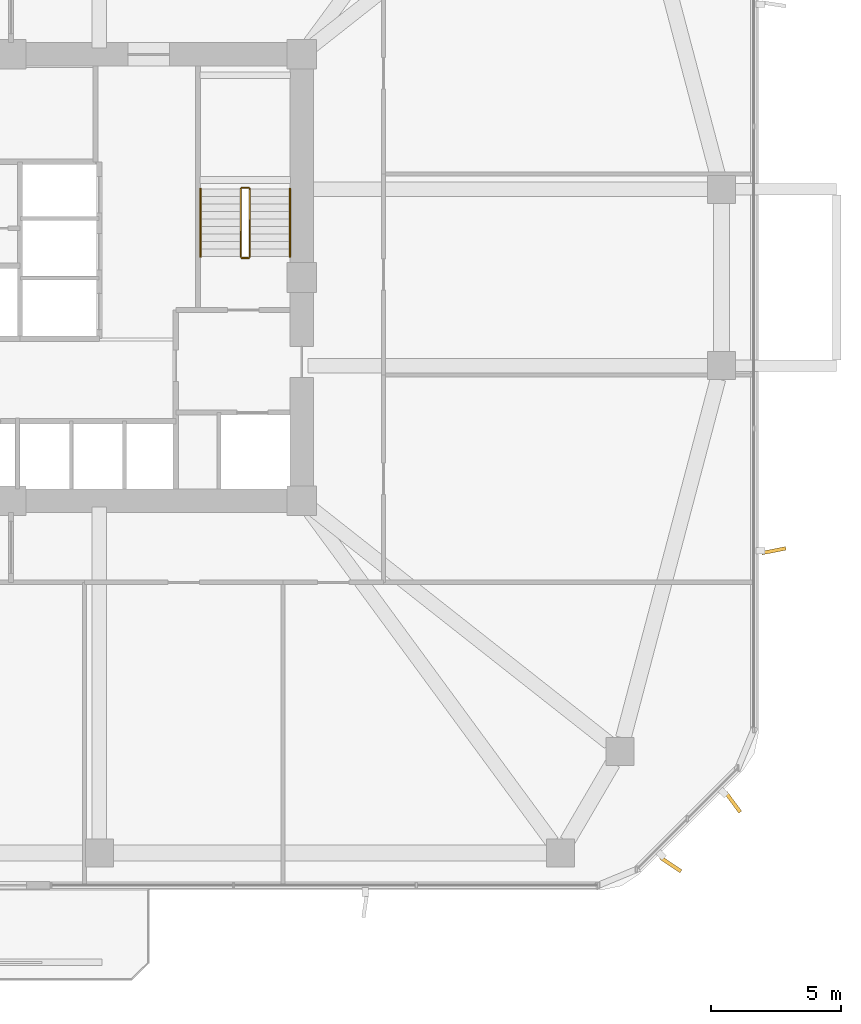
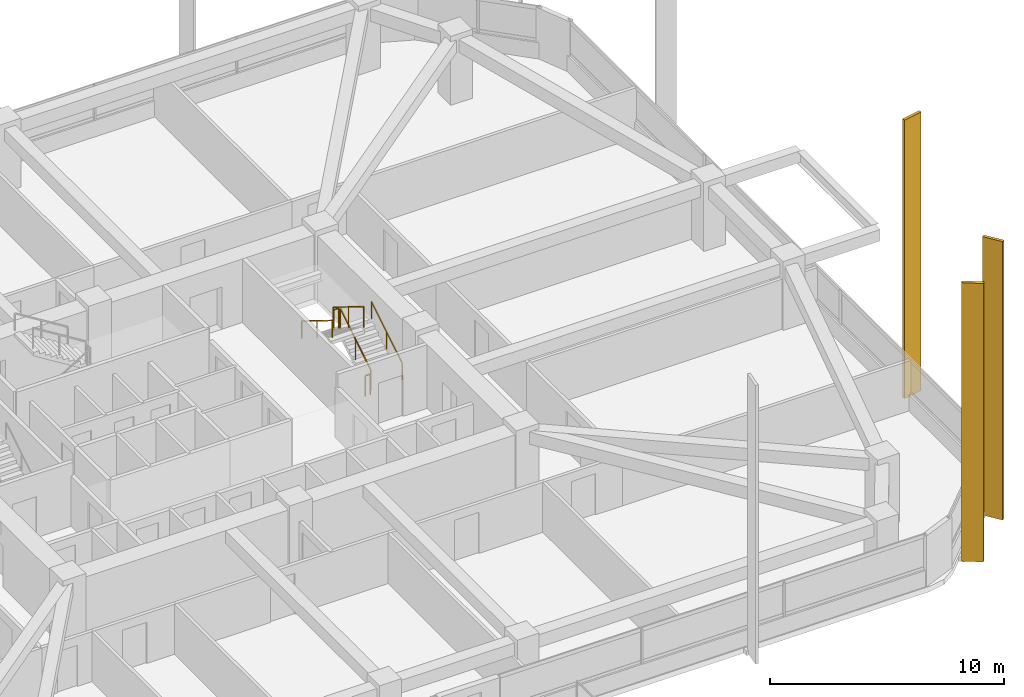
# One storey, part 15 of 17: 6 railings, 3 shading devices.
"""IFC4 building model written with IfcOpenShell, lengths in metres."""

import ifcopenshell
import ifcopenshell.guid

model = None  # the IFC model being written
_history = None  # IfcOwnerHistory: only IFC2X3 demands one
_inside = {}  # id of a spatial element -> (the spatial element, [elements in it])
_under = {}  # id of a project, library or spatial element -> (it, [spatial elements below it])
_declared = {}  # id of a project -> (the project, [libraries it declares])
_typed = {}  # id of a type object -> (the type object, [elements of that type])
_made_of = {}  # id of a material, layer set ... -> (it, [elements and type objects made of it])


def new_model(schema):
    """Start an empty IFC model of exactly this schema.

    Asked for "IFC4X3", IfcOpenShell would pick the latest addendum, in which some entities
    have other attributes; the version numbers below select the first issue.
    IFC2X3 requires an IfcOwnerHistory on every rooted entity: one is made here for all.
    """
    global model, _history
    if schema == "IFC4X3":
        model = ifcopenshell.file(schema_version=(4, 3, 0, 0))
    else:
        model = ifcopenshell.file(schema=schema)
    _inside.clear()
    _under.clear()
    _declared.clear()
    _typed.clear()
    _made_of.clear()
    _history = None
    if model.schema == "IFC2X3":
        org = make("IfcOrganization", Name="unknown")
        user = make(
            "IfcPersonAndOrganization",
            ThePerson=make("IfcPerson", FamilyName="unknown"),
            TheOrganization=org,
        )
        app = make(
            "IfcApplication",
            ApplicationDeveloper=org,
            Version="unknown",
            ApplicationFullName="unknown",
            ApplicationIdentifier="unknown",
        )
        _history = make(
            "IfcOwnerHistory",
            OwningUser=user,
            OwningApplication=app,
            ChangeAction="ADDED",
            CreationDate=0,
        )
    return model


def make(cls, **values):
    """One entity of the class cls with the attributes given. An attribute that is None is left unset."""
    return model.create_entity(
        cls, **{name: value for name, value in values.items() if value is not None}
    )


def rooted(cls, **values):
    """An entity with a GlobalId (a new one), such as an element, a storey or a relation."""
    return make(cls, GlobalId=ifcopenshell.guid.new(), OwnerHistory=_history, **values)


def si_unit(unit_type, name, prefix=None):
    """IfcSIUnit, for example si_unit("LENGTHUNIT", "METRE", prefix="MILLI")."""
    return make("IfcSIUnit", UnitType=unit_type, Prefix=prefix, Name=name)


def derived_unit(unit_type, elements):
    """IfcDerivedUnit: a product of units, each with its exponent."""
    return make(
        "IfcDerivedUnit",
        Elements=[
            make("IfcDerivedUnitElement", Unit=unit, Exponent=power)
            for unit, power in elements
        ],
        UnitType=unit_type,
    )


def assignment(units):
    """IfcUnitAssignment: the units of a project."""
    return None if units is None else make("IfcUnitAssignment", Units=units)


def point(xyz):
    """IfcCartesianPoint."""
    return None if xyz is None else make("IfcCartesianPoint", Coordinates=xyz)


def direction(xyz):
    """IfcDirection."""
    return None if xyz is None else make("IfcDirection", DirectionRatios=xyz)


def frame(location, z_axis=None, x_axis=None):
    """IfcAxis2Placement3D, a coordinate frame: its origin and axes. An axis left out is left unset."""
    return make(
        "IfcAxis2Placement3D",
        Location=point(location),
        Axis=direction(z_axis),
        RefDirection=direction(x_axis),
    )


def frame_2d(location, x_axis=None):
    """IfcAxis2Placement2D, a coordinate frame in the plane: its origin and x axis."""
    return make(
        "IfcAxis2Placement2D", Location=point(location), RefDirection=direction(x_axis)
    )


def origin():
    """The frame at (0, 0, 0) with its axes left unset."""
    return frame((0.0, 0.0, 0.0))


def origin_2d():
    """The frame at (0, 0) in the plane with its x axis left unset."""
    return frame_2d((0.0, 0.0))


def place(relative_to, where):
    """IfcLocalPlacement: puts the frame where relative to a parent placement (None: the world)."""
    return make(
        "IfcLocalPlacement", PlacementRelTo=relative_to, RelativePlacement=where
    )


def context(
    kind, dimensions, precision=None, world=None, true_north=None, identifier=None
):
    """IfcGeometricRepresentationContext, for example the 3D "Model" context."""
    return make(
        "IfcGeometricRepresentationContext",
        ContextIdentifier=identifier,
        ContextType=kind,
        CoordinateSpaceDimension=dimensions,
        Precision=precision,
        WorldCoordinateSystem=world,
        TrueNorth=true_north,
    )


def subcontext(parent, identifier, kind, view, scale=None):
    """IfcGeometricRepresentationSubContext, for example "Body" below "Model"."""
    return make(
        "IfcGeometricRepresentationSubContext",
        ContextIdentifier=identifier,
        ContextType=kind,
        ParentContext=parent,
        TargetScale=scale,
        TargetView=view,
    )


def project(units=None, contexts=None):
    """IfcProject with its units and contexts."""
    return rooted(
        "IfcProject",
        Name="project",
        RepresentationContexts=contexts,
        UnitsInContext=assignment(units),
    )


def spatial(cls, under=None, at=None, **own):
    """A site, building, storey or space (cls), placed at a placement, below another one or the project."""
    s = rooted(cls, ObjectPlacement=at, **own)
    if under is not None:
        _under.setdefault(under.id(), (under, []))[1].append(s)
    return s


def profile(cls, at=None, kind="AREA", **sizes):
    """A parametric profile (cls). Its sizes go by their IFC names, for example OverallWidth=200.0."""
    return make(cls, ProfileType=kind, Position=at, **sizes)


def rectangle(**sizes):
    """IfcRectangleProfileDef."""
    return profile("IfcRectangleProfileDef", **sizes)


def extrude(swept, where, along, depth):
    """IfcExtrudedAreaSolid: the profile swept, set in the frame where, extruded along a direction by depth."""
    return make(
        "IfcExtrudedAreaSolid",
        SweptArea=swept,
        Position=where,
        ExtrudedDirection=direction(along),
        Depth=depth,
    )


def shape(context_of_items, identifier, shape_type, items):
    """IfcShapeRepresentation: the items that make up one representation, for example the "Body"."""
    return make(
        "IfcShapeRepresentation",
        ContextOfItems=context_of_items,
        RepresentationIdentifier=identifier,
        RepresentationType=shape_type,
        Items=items,
    )


def material(Name=None, Category=None):
    """IfcMaterial."""
    return make("IfcMaterial", Name=Name, Category=Category)


def made_of(thing, what):
    """Note that an element or type object is made of a material, layer set ...; save() writes the relation."""
    if what is not None:
        _made_of.setdefault(what.id(), (what, []))[1].append(thing)
    return thing


def type_object(cls, material=None, **own):
    """A type object (cls), such as IfcWallType, which elements share."""
    return made_of(rooted(cls, **own), material)


def element(
    cls,
    number,
    at=None,
    inside=None,
    cuts=None,
    type_object=None,
    material=None,
    context=None,
    identifier="Body",
    shape_type=None,
    held_by="IfcProductDefinitionShape",
    body=None,
    shapes=None,
    **own,
):
    """One element of the class cls, such as IfcWall. Its Tag is "e" and its number.

    at: its placement. inside: the storey or other place that contains it. cuts: it is an
    opening in that element (IfcRelVoidsElement). A single representation is given by context,
    identifier, shape_type and body (its items); several are given by shapes. held_by: the class
    of the entity that holds the representations. save() writes the other relations.
    """
    e = rooted(cls, Tag="e%d" % number, ObjectPlacement=at, **own)
    if body is not None:
        shapes = [shape(context, identifier, shape_type, body)]
    if shapes is not None:
        e.Representation = make(held_by, Representations=shapes)
    if inside is not None:
        _inside.setdefault(inside.id(), (inside, []))[1].append(e)
    if cuts is not None:
        rooted(
            "IfcRelVoidsElement", RelatingBuildingElement=cuts, RelatedOpeningElement=e
        )
    if type_object is not None:
        _typed.setdefault(type_object.id(), (type_object, []))[1].append(e)
    return made_of(e, material)


def aggregate(whole, parts):
    """IfcRelAggregates: a whole, such as a stair, and the parts it consists of."""
    return rooted("IfcRelAggregates", RelatingObject=whole, RelatedObjects=parts)


def save(model, path):
    """Write the relations noted so far, then the file.

    IfcRelAggregates (storeys below a building ...), IfcRelContainedInSpatialStructure (elements
    in a storey), IfcRelDefinesByType, IfcRelAssociatesMaterial and IfcRelDeclares: one each for
    every whole, place, type object, material and project.
    """
    for whole, parts in _under.values():
        aggregate(whole, parts)
    for where, things in _inside.values():
        rooted(
            "IfcRelContainedInSpatialStructure",
            RelatedElements=things,
            RelatingStructure=where,
        )
    for kind, things in _typed.values():
        rooted("IfcRelDefinesByType", RelatedObjects=things, RelatingType=kind)
    for what, things in _made_of.values():
        rooted("IfcRelAssociatesMaterial", RelatedObjects=things, RelatingMaterial=what)
    for by, libraries in _declared.values():
        rooted("IfcRelDeclares", RelatingContext=by, RelatedDefinitions=libraries)
    model.write(path)


model = new_model("IFC4")

# Units and contexts
model_context = context("Model", 3, precision=1e-05, world=origin(), true_north=direction((0.0, 1.0)))
body_context = subcontext(model_context, "Body", "Model", "MODEL_VIEW")
ifc_project = project(units=[si_unit("LENGTHUNIT", "METRE"), si_unit("AREAUNIT", "SQUARE_METRE"), si_unit("VOLUMEUNIT", "CUBIC_METRE"), si_unit("PLANEANGLEUNIT", "RADIAN"), si_unit("MASSUNIT", "GRAM", prefix="KILO"), derived_unit("THERMALTRANSMITTANCEUNIT", [(si_unit("POWERUNIT", "WATT"), 1), (si_unit("LENGTHUNIT", "METRE"), -2), (si_unit("THERMODYNAMICTEMPERATUREUNIT", "KELVIN"), -1)])], contexts=[model_context])

# Site, building, storey
site_placement = place(None, origin())
site = spatial("IfcSite", under=ifc_project, at=site_placement, CompositionType="ELEMENT")
building_placement = place(site_placement, origin())
building = spatial("IfcBuilding", under=site, at=building_placement, Name="Koralith Skygarden Medical Center", CompositionType="ELEMENT")
storey_placement = place(building_placement, frame((0.0, 0.0, 52.739990234375)))
storey = spatial("IfcBuildingStorey", under=building, at=storey_placement, Name="L13", CompositionType="ELEMENT", Elevation=52.739990234375)

# Shading devices
ifc_material_1 = material(Name="Aluminium 6063-T6", Category="aluminium")
shading_device_type = type_object("IfcShadingDeviceType", Name="Limestone-Clad Solar Storm Fin 950", PredefinedType="USERDEFINED", material=ifc_material_1)
for number, where, z_axis, x_axis, name in (
    (1, (62.422119140625, 3.280029296875, -0.2001953125), (0.0, 0.0, 1.0), (0.829856500918, -0.557976870385, 0.0), "L13 SE Harmonic Solar Storm Fin 1"),
    (2, (64.820068359375, 5.677978515625, -0.2001953125), (0.0, 0.0, 1.0), (0.594219331491, -0.804303043686, 0.0), "L13 SE Harmonic Solar Storm Fin 2"),
    (3, (66.39501953125, 15.3701171875, -0.2001953125), (0.0, 0.0, 1.0), (0.981346388005, 0.192247930416, 0.0), "L13 E Harmonic Solar Storm Fin 1"),
):
    element("IfcShadingDevice", number, at=place(storey_placement, frame(where, z_axis=z_axis, x_axis=x_axis)), inside=storey, type_object=shading_device_type, Name=name, ObjectType="SOLAR FIN", PredefinedType="USERDEFINED", context=body_context, shape_type="SweptSolid", body=[
        extrude(rectangle(XDim=0.949951171875, YDim=0.139892578125, at=origin_2d()), origin(), (0.0, 0.0, 1.0), 14.550048828125),
    ])

# Railings
ifc_material_2 = material(Name="Steel ASTM A500 Grade C", Category="steel")
railing_type_1 = type_object("IfcRailingType", Name="Stair Flight Tubular Handrail 920", PredefinedType="HANDRAIL", material=ifc_material_2)
railing_1_placement = place(storey_placement, frame((47.75, 26.699951171875, 0.179931640625)))
element("IfcRailing", 4, at=railing_1_placement, inside=storey, type_object=railing_type_1, Name="L13 ST2 stair handrail 1", PredefinedType="HANDRAIL", context=body_context, shape_type="SweptSolid", body=[
    extrude(rectangle(XDim=0.050048828125, YDim=0.050048828125, at=origin_2d()), frame((0.0, 0.001708984375, 0.89599609375), z_axis=(0.0, 0.849632798774, 0.527374731332), x_axis=(-1.0, 0.0, 0.0)), (0.0, 0.0, 1.0), 3.068115234375),
    extrude(rectangle(XDim=0.0419921875, YDim=0.0419921875, at=origin_2d()), origin(), (0.0, 0.0, 1.0), 0.867919921875),
    extrude(rectangle(XDim=0.0419921875, YDim=0.0419921875, at=origin_2d()), frame((0.0, 1.30517578125, 0.81005859375)), (0.0, 0.0, 1.0), 0.867919921875),
    extrude(rectangle(XDim=0.0419921875, YDim=0.0419921875, at=origin_2d()), frame((0.0, 2.610107421875, 1.6201171875)), (0.0, 0.0, 1.0), 0.867919921875),
])
railing_2_placement = place(storey_placement, frame((44.300048828125, 29.31005859375, 1.97998046875)))
element("IfcRailing", 5, at=railing_2_placement, inside=storey, type_object=railing_type_1, Name="L13 ST2 stair handrail 2", PredefinedType="HANDRAIL", context=body_context, shape_type="SweptSolid", body=[
    extrude(rectangle(XDim=0.050048828125, YDim=0.050048828125, at=origin_2d()), frame((0.0, -0.001708984375, 0.89599609375), z_axis=(0.0, -0.849632798774, 0.527374731332), x_axis=(1.0, 0.0, 0.0)), (0.0, 0.0, 1.0), 3.068115234375),
    extrude(rectangle(XDim=0.0419921875, YDim=0.0419921875, at=origin_2d()), origin(), (0.0, 0.0, 1.0), 0.867919921875),
    extrude(rectangle(XDim=0.0419921875, YDim=0.0419921875, at=origin_2d()), frame((0.0, -1.30517578125, 0.81005859375)), (0.0, 0.0, 1.0), 0.867919921875),
    extrude(rectangle(XDim=0.0419921875, YDim=0.0419921875, at=origin_2d()), frame((0.0, -2.610107421875, 1.6201171875)), (0.0, 0.0, 1.0), 0.867919921875),
])
railing_type_2 = type_object("IfcRailingType", Name="Stair Well Safety Guardrail 1100", PredefinedType="GUARDRAIL", material=ifc_material_2)
railing_3_placement = place(storey_placement, frame((46.199951171875, 26.699951171875, 0.179931640625)))
element("IfcRailing", 6, at=railing_3_placement, inside=storey, type_object=railing_type_2, Name="L13 ST2 stair guard 1", PredefinedType="GUARDRAIL", context=body_context, shape_type="SweptSolid", body=[
    extrude(rectangle(XDim=0.050048828125, YDim=0.050048828125, at=origin_2d()), frame((0.0, 0.001708984375, 1.076171875), z_axis=(0.0, 0.849632798774, 0.527374731332), x_axis=(-1.0, 0.0, 0.0)), (0.0, 0.0, 1.0), 3.068115234375),
    extrude(rectangle(XDim=0.0419921875, YDim=0.0419921875, at=origin_2d()), origin(), (0.0, 0.0, 1.0), 1.048095703125),
    extrude(rectangle(XDim=0.0419921875, YDim=0.0419921875, at=origin_2d()), frame((0.0, 1.30517578125, 0.81005859375)), (0.0, 0.0, 1.0), 1.048095703125),
    extrude(rectangle(XDim=0.0419921875, YDim=0.0419921875, at=origin_2d()), frame((0.0, 2.610107421875, 1.6201171875)), (0.0, 0.0, 1.0), 1.048095703125),
])
railing_4_placement = place(storey_placement, frame((46.14990234375, 29.360107421875, 1.800048828125)))
element("IfcRailing", 7, at=railing_4_placement, inside=storey, type_object=railing_type_2, Name="L13 ST2 stair guard 2", PredefinedType="GUARDRAIL", context=body_context, shape_type="SweptSolid", body=[
    extrude(rectangle(XDim=0.050048828125, YDim=0.050048828125, at=origin_2d()), frame((-0.001953125, 0.0, 1.0751953125), z_axis=(-1.0, 0.0, 0.0), x_axis=(0.0, -1.0, 0.0)), (0.0, 0.0, 1.0), 0.24609375),
    extrude(rectangle(XDim=0.0419921875, YDim=0.0419921875, at=origin_2d()), origin(), (0.0, 0.0, 1.0), 1.048095703125),
    extrude(rectangle(XDim=0.0419921875, YDim=0.0419921875, at=origin_2d()), frame((-0.25, 0.0, 0.0)), (0.0, 0.0, 1.0), 1.048095703125),
])
railing_5_placement = place(storey_placement, frame((45.85009765625, 29.31005859375, 1.97998046875)))
element("IfcRailing", 8, at=railing_5_placement, inside=storey, type_object=railing_type_2, Name="L13 ST2 stair guard 3", PredefinedType="GUARDRAIL", context=body_context, shape_type="SweptSolid", body=[
    extrude(rectangle(XDim=0.050048828125, YDim=0.050048828125, at=origin_2d()), frame((0.0, -0.001708984375, 1.076171875), z_axis=(0.0, -0.849632798774, 0.527374731332), x_axis=(1.0, 0.0, 0.0)), (0.0, 0.0, 1.0), 3.068115234375),
    extrude(rectangle(XDim=0.0419921875, YDim=0.0419921875, at=origin_2d()), origin(), (0.0, 0.0, 1.0), 1.048095703125),
    extrude(rectangle(XDim=0.0419921875, YDim=0.0419921875, at=origin_2d()), frame((0.0, -1.30517578125, 0.81005859375)), (0.0, 0.0, 1.0), 1.048095703125),
    extrude(rectangle(XDim=0.0419921875, YDim=0.0419921875, at=origin_2d()), frame((0.0, -2.610107421875, 1.6201171875)), (0.0, 0.0, 1.0), 1.048095703125),
])
railing_6_placement = place(storey_placement, frame((46.14990234375, 26.64990234375, 0.0)))
element("IfcRailing", 9, at=railing_6_placement, inside=storey, type_object=railing_type_2, Name="L13 ST2 stair guard 4", PredefinedType="GUARDRAIL", context=body_context, shape_type="SweptSolid", body=[
    extrude(rectangle(XDim=0.050048828125, YDim=0.050048828125, at=origin_2d()), frame((-0.001953125, 0.0, 1.0751953125), z_axis=(-1.0, 0.0, 0.0), x_axis=(0.0, -1.0, 0.0)), (0.0, 0.0, 1.0), 0.24609375),
    extrude(rectangle(XDim=0.0419921875, YDim=0.0419921875, at=origin_2d()), origin(), (0.0, 0.0, 1.0), 1.048095703125),
    extrude(rectangle(XDim=0.0419921875, YDim=0.0419921875, at=origin_2d()), frame((-0.25, 0.0, 0.0)), (0.0, 0.0, 1.0), 1.048095703125),
])

save(model, "model.ifc")
